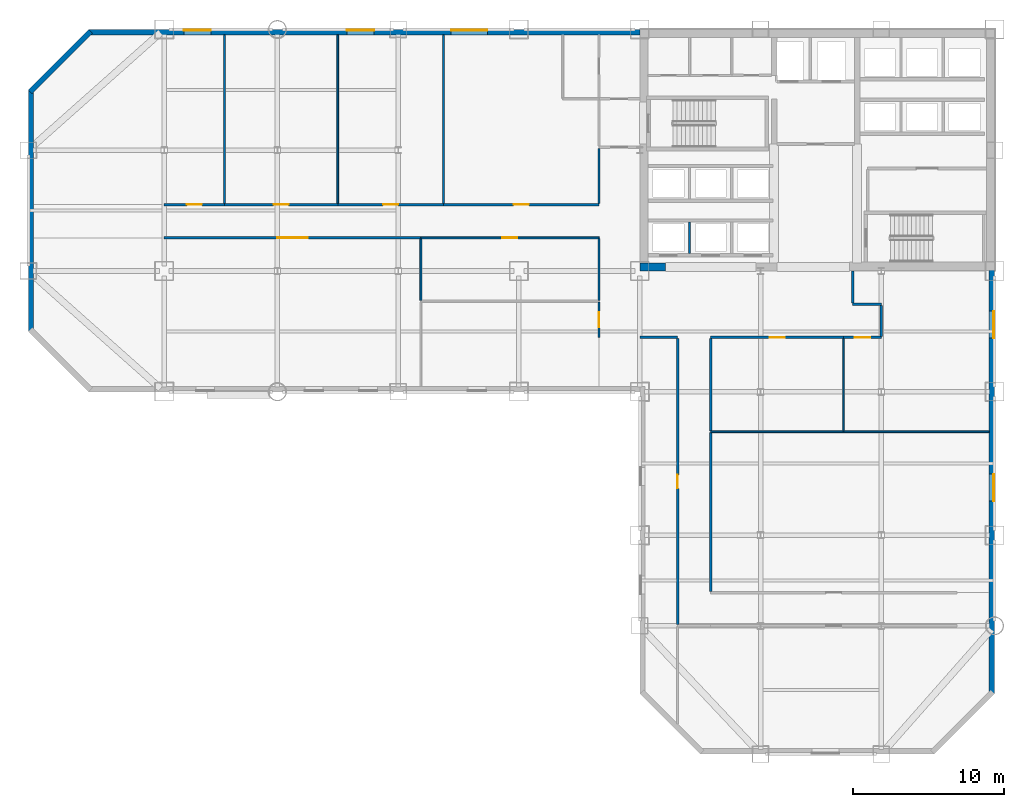
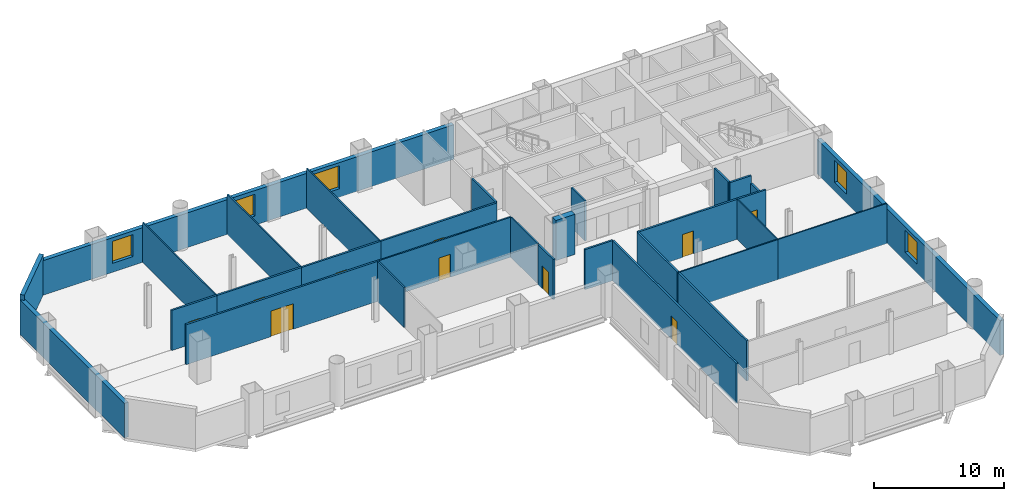
# One storey, part 5 of 9: 31 walls, 10 doors, 5 windows, 15 openings.
"""IFC4 building model written with IfcOpenShell, lengths in metres."""

from ifc_helpers import new_model, si_unit, direction, frame, frame_2d, origin, place, context, subcontext, project, spatial, rectangle, extrude, material, layer, layer_set, type_object, element, fill, save


model = new_model("IFC4")

# Units and contexts
model_context = context("Model", 3, precision=1e-05, world=origin(), true_north=direction((0.0, 1.0)))
body_context = subcontext(model_context, "Body", "Model", "MODEL_VIEW")
ifc_project = project(units=[si_unit("LENGTHUNIT", "METRE"), si_unit("AREAUNIT", "SQUARE_METRE"), si_unit("VOLUMEUNIT", "CUBIC_METRE"), si_unit("PLANEANGLEUNIT", "RADIAN"), si_unit("MASSUNIT", "GRAM", prefix="KILO")], contexts=[model_context])

# Site, building, storey
site_placement = place(None, origin())
site = spatial("IfcSite", under=ifc_project, at=site_placement, CompositionType="ELEMENT")
building_placement = place(site_placement, origin())
building = spatial("IfcBuilding", under=site, at=building_placement, Name="Qianrong Seaharbour Tower", CompositionType="ELEMENT")
storey_placement = place(building_placement, frame((0.0, 0.0, 88.199951171875)))
storey = spatial("IfcBuildingStorey", under=building, at=storey_placement, Name="L21", CompositionType="ELEMENT", Elevation=88.199951171875)

# Wall
ifc_material_1 = material(Name="Concrete C70/85", Category="concrete")
ifc_layer_1 = layer(ifc_material_1, 0.5400390625)
ifc_layer_set_1 = layer_set([ifc_layer_1], Name="Concrete C70/85")
wall_type_1 = type_object("IfcWallType", Name="WALL-CORE-540", PredefinedType="SHEAR", material=ifc_layer_set_1)
wall_1_placement = place(storey_placement, frame((40.5, 36.27001953125, 0.0), z_axis=(0.0, 0.0, 1.0), x_axis=(1.0, 0.0, 0.0)))
element("IfcWall", 1, at=wall_1_placement, inside=storey, type_object=wall_type_1, Name="L21 South Core Shear Wall S1", PredefinedType="SHEAR", context=body_context, shape_type="SweptSolid", body=[
    extrude(rectangle(XDim=1.699951171875, YDim=0.5400390625, at=frame_2d((0.85009765625, 0.0))), origin(), (0.0, 0.0, 1.0), 3.75),
])

# Wall, opening, door
ifc_material_2 = material(Name="Fire-rated acoustic gypsum board partition")
ifc_layer_2 = layer(ifc_material_2, 0.1650390625)
ifc_layer_set_2 = layer_set([ifc_layer_2], Name="Fire-rated acoustic gypsum board partition")
wall_type_2 = type_object("IfcWallType", Name="WALL-CORR-PART-165", PredefinedType="PARTITIONING", material=ifc_layer_set_2)
wall_2_placement = place(storey_placement, frame((9.0, 40.39990234375, 0.0), z_axis=(0.0, 0.0, 1.0), x_axis=(1.0, 0.0, 0.0)))
wall_2 = element("IfcWall", 2, at=wall_2_placement, inside=storey, type_object=wall_type_2, Name="L21 Interior Partition Wall 015", PredefinedType="PARTITIONING", context=body_context, shape_type="SweptSolid", body=[
    extrude(rectangle(XDim=4.0, YDim=0.1650390625, at=frame_2d((2.0, 0.0))), origin(), (0.0, 0.0, 1.0), 3.75),
])
opening_1_placement = place(wall_2_placement, frame((1.5, 0.0, 0.0)))
opening_1 = element("IfcOpeningElement", 3, at=opening_1_placement, cuts=wall_2, Name="Opening DO-01", PredefinedType="OPENING", context=body_context, shape_type="SweptSolid", body=[
    extrude(rectangle(XDim=1.0, YDim=2.14990234375, at=frame_2d((0.5, 1.074951171875))), frame((0.0, 0.092529296875, 0.0), z_axis=(0.0, -1.0, 0.0), x_axis=(1.0, 0.0, 0.0)), (0.0, 0.0, 1.0), 0.18505859375),
])
ifc_material_3 = material(Name="Acoustic timber and galvanized steel fire door assembly", Category="steel")
door_type_1 = type_object("IfcDoorType", Name="DOOR-OFFICE-1000x2150", OperationType="NOTDEFINED", PredefinedType="DOOR", material=ifc_material_3)
door_1_placement = place(opening_1_placement, origin())
door_1 = element("IfcDoor", 4, at=door_1_placement, inside=storey, type_object=door_type_1, Name="L21 Occupational Health Clinic 1 Door", OperationType="SINGLE_SWING_LEFT", OverallHeight=2.14990234375, OverallWidth=1.0, PredefinedType="DOOR", context=body_context, shape_type="SweptSolid", body=[
    extrude(rectangle(XDim=1.0, YDim=2.14990234375, at=frame_2d((0.5, 1.074951171875))), frame((0.0, 0.02490234375, 0.0), z_axis=(0.0, -1.0, 0.0), x_axis=(1.0, 0.0, 0.0)), (0.0, 0.0, 1.0), 0.050048828125),
])
fill(opening_1, door_1)

wall_3_placement = place(storey_placement, frame((13.0, 40.39990234375, 0.0), z_axis=(0.0, 0.0, 1.0), x_axis=(1.0, 0.0, 0.0)))
wall_3 = element("IfcWall", 5, at=wall_3_placement, inside=storey, type_object=wall_type_2, Name="L21 Interior Partition Wall 016", PredefinedType="PARTITIONING", context=body_context, shape_type="SweptSolid", body=[
    extrude(rectangle(XDim=7.5, YDim=0.1650390625, at=frame_2d((3.75, 0.0))), origin(), (0.0, 0.0, 1.0), 3.75),
])
opening_2_placement = place(wall_3_placement, frame((3.25, 0.0, 0.0)))
opening_2 = element("IfcOpeningElement", 6, at=opening_2_placement, cuts=wall_3, Name="Opening DO-01", PredefinedType="OPENING", context=body_context, shape_type="SweptSolid", body=[
    extrude(rectangle(XDim=1.0, YDim=2.14990234375, at=frame_2d((0.5, 1.074951171875))), frame((0.0, 0.092529296875, 0.0), z_axis=(0.0, -1.0, 0.0), x_axis=(1.0, 0.0, 0.0)), (0.0, 0.0, 1.0), 0.18505859375),
])
door_2_placement = place(opening_2_placement, origin())
door_2 = element("IfcDoor", 7, at=door_2_placement, inside=storey, type_object=door_type_1, Name="L21 Physiotherapy Room 2 Door", OperationType="SINGLE_SWING_RIGHT", OverallHeight=2.14990234375, OverallWidth=1.0, PredefinedType="DOOR", context=body_context, shape_type="SweptSolid", body=[
    extrude(rectangle(XDim=1.0, YDim=2.14990234375, at=frame_2d((0.5, 1.074951171875))), frame((0.0, 0.02490234375, 0.0), z_axis=(0.0, -1.0, 0.0), x_axis=(1.0, 0.0, 0.0)), (0.0, 0.0, 1.0), 0.050048828125),
])
fill(opening_2, door_2)

wall_4_placement = place(storey_placement, frame((20.5, 40.39990234375, 0.0), z_axis=(0.0, 0.0, 1.0), x_axis=(1.0, 0.0, 0.0)))
wall_4 = element("IfcWall", 8, at=wall_4_placement, inside=storey, type_object=wall_type_2, Name="L21 Interior Partition Wall 017", PredefinedType="PARTITIONING", context=body_context, shape_type="SweptSolid", body=[
    extrude(rectangle(XDim=7.0, YDim=0.1650390625, at=frame_2d((3.5, 0.0))), origin(), (0.0, 0.0, 1.0), 3.75),
])
opening_3_placement = place(wall_4_placement, frame((3.0, 0.0, 0.0)))
opening_3 = element("IfcOpeningElement", 9, at=opening_3_placement, cuts=wall_4, Name="Opening DO-01", PredefinedType="OPENING", context=body_context, shape_type="SweptSolid", body=[
    extrude(rectangle(XDim=1.0, YDim=2.14990234375, at=frame_2d((0.5, 1.074951171875))), frame((0.0, 0.092529296875, 0.0), z_axis=(0.0, -1.0, 0.0), x_axis=(1.0, 0.0, 0.0)), (0.0, 0.0, 1.0), 0.18505859375),
])
door_3_placement = place(opening_3_placement, origin())
door_3 = element("IfcDoor", 10, at=door_3_placement, inside=storey, type_object=door_type_1, Name="L21 First Aid Nursing Room 3 Door", OperationType="SINGLE_SWING_LEFT", OverallHeight=2.14990234375, OverallWidth=1.0, PredefinedType="DOOR", context=body_context, shape_type="SweptSolid", body=[
    extrude(rectangle(XDim=1.0, YDim=2.14990234375, at=frame_2d((0.5, 1.074951171875))), frame((0.0, 0.02490234375, 0.0), z_axis=(0.0, -1.0, 0.0), x_axis=(1.0, 0.0, 0.0)), (0.0, 0.0, 1.0), 0.050048828125),
])
fill(opening_3, door_3)

wall_5_placement = place(storey_placement, frame((27.5, 40.39990234375, 0.0), z_axis=(0.0, 0.0, 1.0), x_axis=(1.0, 0.0, 0.0)))
wall_5 = element("IfcWall", 11, at=wall_5_placement, inside=storey, type_object=wall_type_2, Name="L21 Interior Partition Wall 018", PredefinedType="PARTITIONING", context=body_context, shape_type="SweptSolid", body=[
    extrude(rectangle(XDim=10.300048828125, YDim=0.1650390625, at=frame_2d((5.14990234375, 0.0))), origin(), (0.0, 0.0, 1.0), 3.75),
])
opening_4_placement = place(wall_5_placement, frame((4.64990234375, 0.0, 0.0)))
opening_4 = element("IfcOpeningElement", 12, at=opening_4_placement, cuts=wall_5, Name="Opening DO-01", PredefinedType="OPENING", context=body_context, shape_type="SweptSolid", body=[
    extrude(rectangle(XDim=1.0, YDim=2.14990234375, at=frame_2d((0.5, 1.074951171875))), frame((0.0, 0.092529296875, 0.0), z_axis=(0.0, -1.0, 0.0), x_axis=(1.0, 0.0, 0.0)), (0.0, 0.0, 1.0), 0.18505859375),
])
door_4_placement = place(opening_4_placement, origin())
door_4 = element("IfcDoor", 13, at=door_4_placement, inside=storey, type_object=door_type_1, Name="L21 Case Coordinator Office 4 Door", OperationType="SINGLE_SWING_RIGHT", OverallHeight=2.14990234375, OverallWidth=1.0, PredefinedType="DOOR", context=body_context, shape_type="SweptSolid", body=[
    extrude(rectangle(XDim=1.0, YDim=2.14990234375, at=frame_2d((0.5, 1.074951171875))), frame((0.0, 0.02490234375, 0.0), z_axis=(0.0, -1.0, 0.0), x_axis=(1.0, 0.0, 0.0)), (0.0, 0.0, 1.0), 0.050048828125),
])
fill(opening_4, door_4)

wall_6_placement = place(storey_placement, frame((26.0, 38.199951171875, 0.0), z_axis=(0.0, 0.0, 1.0), x_axis=(-1.0, 0.0, 0.0)))
wall_6 = element("IfcWall", 14, at=wall_6_placement, inside=storey, type_object=wall_type_2, Name="L21 Interior Partition Wall 019", PredefinedType="PARTITIONING", context=body_context, shape_type="SweptSolid", body=[
    extrude(rectangle(XDim=17.0, YDim=0.1650390625, at=frame_2d((8.5, 0.0))), origin(), (0.0, 0.0, 1.0), 3.75),
])
opening_5_placement = place(wall_6_placement, frame((7.5, 0.0, 0.0)))
opening_5 = element("IfcOpeningElement", 15, at=opening_5_placement, cuts=wall_6, Name="Opening DA-01", PredefinedType="OPENING", context=body_context, shape_type="SweptSolid", body=[
    extrude(rectangle(XDim=2.0, YDim=2.39990234375, at=frame_2d((1.0, 1.199951171875))), frame((0.0, 0.092529296875, 0.0), z_axis=(0.0, -1.0, 0.0), x_axis=(1.0, 0.0, 0.0)), (0.0, 0.0, 1.0), 0.18505859375),
])
door_type_2 = type_object("IfcDoorType", Name="DOOR-AUD-PAIR-2000x2400", OperationType="DOUBLE_DOOR_SINGLE_SWING", PredefinedType="DOOR", material=ifc_material_3)
door_5_placement = place(opening_5_placement, origin())
door_5 = element("IfcDoor", 16, at=door_5_placement, inside=storey, type_object=door_type_2, Name="L21 Wellness Exercise Hall Door", OperationType="DOUBLE_DOOR_SINGLE_SWING", OverallHeight=2.39990234375, OverallWidth=2.0, PredefinedType="DOOR", context=body_context, shape_type="SweptSolid", body=[
    extrude(rectangle(XDim=2.0, YDim=2.39990234375, at=frame_2d((1.0, 1.199951171875))), frame((0.0, 0.02490234375, 0.0), z_axis=(0.0, -1.0, 0.0), x_axis=(1.0, 0.0, 0.0)), (0.0, 0.0, 1.0), 0.050048828125),
])
fill(opening_5, door_5)

# Wall
wall_7_placement = place(storey_placement, frame((37.800048828125, 40.474609375, 0.0), z_axis=(0.0, 0.0, 1.0), x_axis=(0.0, 1.0, 0.0)))
element("IfcWall", 17, at=wall_7_placement, inside=storey, type_object=wall_type_2, Name="L21 Interior Partition Wall 021", PredefinedType="PARTITIONING", context=body_context, shape_type="SweptSolid", body=[
    extrude(rectangle(XDim=3.65087890625, YDim=0.1650390625, at=frame_2d((1.825439453125, 0.0))), origin(), (0.0, 0.0, 1.0), 3.75),
])

# Wall, opening, door
wall_8_placement = place(storey_placement, frame((37.800048828125, 31.60009765625, 0.0), z_axis=(0.0, 0.0, 1.0), x_axis=(0.0, 1.0, 0.0)))
wall_8 = element("IfcWall", 18, at=wall_8_placement, inside=storey, type_object=wall_type_2, Name="L21 Interior Partition Wall 022", PredefinedType="PARTITIONING", context=body_context, shape_type="SweptSolid", body=[
    extrude(rectangle(XDim=2.343017578125, YDim=0.1650390625, at=frame_2d((1.17138671875, 0.0))), origin(), (0.0, 0.0, 1.0), 3.75),
])
opening_6_placement = place(wall_8_placement, frame((0.67138671875, 0.0, 0.0)))
opening_6 = element("IfcOpeningElement", 19, at=opening_6_placement, cuts=wall_8, Name="Opening DO-01", PredefinedType="OPENING", context=body_context, shape_type="SweptSolid", body=[
    extrude(rectangle(XDim=1.0, YDim=2.14990234375, at=frame_2d((0.5, 1.074951171875))), frame((0.0, 0.092529296875, 0.0), z_axis=(0.0, -1.0, 0.0), x_axis=(1.0, 0.0, 0.0)), (0.0, 0.0, 1.0), 0.18505859375),
])
door_6_placement = place(opening_6_placement, origin())
door_6 = element("IfcDoor", 20, at=door_6_placement, inside=storey, type_object=door_type_1, Name="L21 Medical Examination Room 1 Door", OperationType="SINGLE_SWING_LEFT", OverallHeight=2.14990234375, OverallWidth=1.0, PredefinedType="DOOR", context=body_context, shape_type="SweptSolid", body=[
    extrude(rectangle(XDim=1.0, YDim=2.14990234375, at=frame_2d((0.5, 1.074951171875))), frame((0.0, 0.02490234375, 0.0), z_axis=(0.0, -1.0, 0.0), x_axis=(1.0, 0.0, 0.0)), (0.0, 0.0, 1.0), 0.050048828125),
])
fill(opening_6, door_6)

wall_9_placement = place(storey_placement, frame((54.0, 31.60009765625, 0.0), z_axis=(0.0, 0.0, 1.0), x_axis=(-1.0, 0.0, 0.0)))
wall_9 = element("IfcWall", 21, at=wall_9_placement, inside=storey, type_object=wall_type_2, Name="L21 Interior Partition Wall 024", PredefinedType="PARTITIONING", context=body_context, shape_type="SweptSolid", body=[
    extrude(rectangle(XDim=8.800048828125, YDim=0.1650390625, at=frame_2d((4.39990234375, 0.0))), origin(), (0.0, 0.0, 1.0), 3.75),
])
opening_7_placement = place(wall_9_placement, frame((3.89990234375, 0.0, 0.0)))
opening_7 = element("IfcOpeningElement", 22, at=opening_7_placement, cuts=wall_9, Name="Opening DO-01", PredefinedType="OPENING", context=body_context, shape_type="SweptSolid", body=[
    extrude(rectangle(XDim=1.0, YDim=2.14990234375, at=frame_2d((0.5, 1.074951171875))), frame((0.0, 0.092529296875, 0.0), z_axis=(0.0, -1.0, 0.0), x_axis=(1.0, 0.0, 0.0)), (0.0, 0.0, 1.0), 0.18505859375),
])
door_7_placement = place(opening_7_placement, origin())
door_7 = element("IfcDoor", 23, at=door_7_placement, inside=storey, type_object=door_type_1, Name="L21 Wellness Room 1 Door", OperationType="SINGLE_SWING_LEFT", OverallHeight=2.14990234375, OverallWidth=1.0, PredefinedType="DOOR", context=body_context, shape_type="SweptSolid", body=[
    extrude(rectangle(XDim=1.0, YDim=2.14990234375, at=frame_2d((0.5, 1.074951171875))), frame((0.0, 0.02490234375, 0.0), z_axis=(0.0, -1.0, 0.0), x_axis=(1.0, 0.0, 0.0)), (0.0, 0.0, 1.0), 0.050048828125),
])
fill(opening_7, door_7)

# Walls
wall_10_placement = place(storey_placement, frame((54.60009765625, 36.0, 0.0), z_axis=(0.0, 0.0, 1.0), x_axis=(0.0, -1.0, 0.0)))
element("IfcWall", 24, at=wall_10_placement, inside=storey, type_object=wall_type_2, Name="L21 Interior Partition Wall 025", PredefinedType="PARTITIONING", context=body_context, shape_type="SweptSolid", body=[
    extrude(rectangle(XDim=2.12548828125, YDim=0.1650390625, at=frame_2d((1.062744140625, 0.0))), origin(), (0.0, 0.0, 1.0), 3.75),
])
wall_11_placement = place(storey_placement, frame((54.60009765625, 33.800048828125, 0.0), z_axis=(0.0, 0.0, 1.0), x_axis=(1.0, 0.0, 0.0)))
element("IfcWall", 25, at=wall_11_placement, inside=storey, type_object=wall_type_2, Name="L21 Interior Partition Wall 026", PredefinedType="PARTITIONING", context=body_context, shape_type="SweptSolid", body=[
    extrude(rectangle(XDim=1.89990234375, YDim=0.1650390625, at=frame_2d((0.949951171875, 0.0))), origin(), (0.0, 0.0, 1.0), 3.75),
])
wall_12_placement = place(storey_placement, frame((56.5, 33.7255859375, 0.0), z_axis=(0.0, 0.0, 1.0), x_axis=(0.0, -1.0, 0.0)))
element("IfcWall", 26, at=wall_12_placement, inside=storey, type_object=wall_type_2, Name="L21 Interior Partition Wall 027", PredefinedType="PARTITIONING", context=body_context, shape_type="SweptSolid", body=[
    extrude(rectangle(XDim=2.051025390625, YDim=0.1650390625, at=frame_2d((1.025390625, 0.0))), origin(), (0.0, 0.0, 1.0), 3.0419921875),
])

# Wall, opening, door
wall_13_placement = place(storey_placement, frame((56.5, 31.60009765625, 0.0), z_axis=(0.0, 0.0, 1.0), x_axis=(-1.0, 0.0, 0.0)))
wall_13 = element("IfcWall", 27, at=wall_13_placement, inside=storey, type_object=wall_type_2, Name="L21 Interior Partition Wall 028", PredefinedType="PARTITIONING", context=body_context, shape_type="SweptSolid", body=[
    extrude(rectangle(XDim=2.5, YDim=0.1650390625, at=frame_2d((1.25, 0.0))), origin(), (0.0, 0.0, 1.0), 3.75),
])
opening_8_placement = place(wall_13_placement, frame((0.75, 0.0, 0.0)))
opening_8 = element("IfcOpeningElement", 28, at=opening_8_placement, cuts=wall_13, Name="Opening DO-01", PredefinedType="OPENING", context=body_context, shape_type="SweptSolid", body=[
    extrude(rectangle(XDim=1.0, YDim=2.14990234375, at=frame_2d((0.5, 1.074951171875))), frame((0.0, 0.092529296875, 0.0), z_axis=(0.0, -1.0, 0.0), x_axis=(1.0, 0.0, 0.0)), (0.0, 0.0, 1.0), 0.18505859375),
])
door_8_placement = place(opening_8_placement, origin())
door_8 = element("IfcDoor", 29, at=door_8_placement, inside=storey, type_object=door_type_1, Name="L21 Health Director Office 2 Door", OperationType="SINGLE_SWING_RIGHT", OverallHeight=2.14990234375, OverallWidth=1.0, PredefinedType="DOOR", context=body_context, shape_type="SweptSolid", body=[
    extrude(rectangle(XDim=1.0, YDim=2.14990234375, at=frame_2d((0.5, 1.074951171875))), frame((0.0, 0.02490234375, 0.0), z_axis=(0.0, -1.0, 0.0), x_axis=(1.0, 0.0, 0.0)), (0.0, 0.0, 1.0), 0.050048828125),
])
fill(opening_8, door_8)

# Walls
wall_14_placement = place(storey_placement, frame((43.0, 31.60009765625, 0.0), z_axis=(0.0, 0.0, 1.0), x_axis=(-1.0, 0.0, 0.0)))
element("IfcWall", 30, at=wall_14_placement, inside=storey, type_object=wall_type_2, Name="L21 Interior Partition Wall 029", PredefinedType="PARTITIONING", context=body_context, shape_type="SweptSolid", body=[
    extrude(rectangle(XDim=2.5, YDim=0.1650390625, at=frame_2d((1.25, 0.0))), origin(), (0.0, 0.0, 1.0), 3.75),
])
wall_15_placement = place(storey_placement, frame((45.199951171875, 25.302978515625, 0.0), z_axis=(0.0, 0.0, 1.0), x_axis=(0.0, -1.0, 0.0)))
element("IfcWall", 31, at=wall_15_placement, inside=storey, type_object=wall_type_2, Name="L21 Interior Partition Wall 031", PredefinedType="PARTITIONING", context=body_context, shape_type="SweptSolid", body=[
    extrude(rectangle(XDim=10.528564453125, YDim=0.1650390625, at=frame_2d((5.26416015625, 0.0))), origin(), (0.0, 0.0, 1.0), 3.75),
])
wall_16_placement = place(storey_placement, frame((45.199951171875, 31.525390625, 0.0), z_axis=(0.0, 0.0, 1.0), x_axis=(0.0, -1.0, 0.0)))
element("IfcWall", 32, at=wall_16_placement, inside=storey, type_object=wall_type_2, Name="L21 Interior Partition Wall 032", PredefinedType="PARTITIONING", context=body_context, shape_type="SweptSolid", body=[
    extrude(rectangle(XDim=6.12841796875, YDim=0.1650390625, at=frame_2d((3.064208984375, 0.0))), origin(), (0.0, 0.0, 1.0), 3.75),
])

# Wall, opening, door
wall_17_placement = place(storey_placement, frame((43.0, 12.574462890625, 0.0), z_axis=(0.0, 0.0, 1.0), x_axis=(0.0, 1.0, 0.0)))
wall_17 = element("IfcWall", 33, at=wall_17_placement, inside=storey, type_object=wall_type_2, Name="L21 Interior Partition Wall 033", PredefinedType="PARTITIONING", context=body_context, shape_type="SweptSolid", body=[
    extrude(rectangle(XDim=18.950927734375, YDim=0.1650390625, at=frame_2d((9.4755859375, 0.0))), origin(), (0.0, 0.0, 1.0), 3.75),
])
opening_9_placement = place(wall_17_placement, frame((9.025390625, 0.0, 0.0)))
opening_9 = element("IfcOpeningElement", 34, at=opening_9_placement, cuts=wall_17, Name="Opening DS-01", PredefinedType="OPENING", context=body_context, shape_type="SweptSolid", body=[
    extrude(rectangle(XDim=0.89990234375, YDim=2.14990234375, at=frame_2d((0.449951171875, 1.074951171875))), frame((0.0, 0.092529296875, 0.0), z_axis=(0.0, -1.0, 0.0), x_axis=(1.0, 0.0, 0.0)), (0.0, 0.0, 1.0), 0.18505859375),
])
door_type_3 = type_object("IfcDoorType", Name="DOOR-STORE-900x2150", OperationType="NOTDEFINED", PredefinedType="DOOR", material=ifc_material_3)
door_9_placement = place(opening_9_placement, origin())
door_9 = element("IfcDoor", 35, at=door_9_placement, inside=storey, type_object=door_type_3, Name="L21 Clinical Dispensary Store Door", OperationType="SINGLE_SWING_LEFT", OverallHeight=2.14990234375, OverallWidth=0.89990234375, PredefinedType="DOOR", context=body_context, shape_type="SweptSolid", body=[
    extrude(rectangle(XDim=0.89990234375, YDim=2.14990234375, at=frame_2d((0.449951171875, 1.074951171875))), frame((0.0, 0.02490234375, 0.0), z_axis=(0.0, -1.0, 0.0), x_axis=(1.0, 0.0, 0.0)), (0.0, 0.0, 1.0), 0.050048828125),
])
fill(opening_9, door_9)

# Walls
ifc_material_4 = material(Name="Demountable aluminium-framed acoustic office partition", Category="aluminium")
ifc_layer_3 = layer(ifc_material_4, 0.110107421875)
ifc_layer_set_3 = layer_set([ifc_layer_3], Name="Demountable aluminium-framed acoustic office partition")
wall_type_3 = type_object("IfcWallType", Name="WALL-DEMOUNT-110", PredefinedType="MOVABLE", material=ifc_layer_set_3)
wall_18_placement = place(storey_placement, frame((45.199951171875, 25.35009765625, 0.0), z_axis=(0.0, 0.0, 1.0), x_axis=(1.0, 0.0, 0.0)))
element("IfcWall", 36, at=wall_18_placement, inside=storey, type_object=wall_type_3, Name="L21 Interior Partition Wall 037", PredefinedType="MOVABLE", context=body_context, shape_type="SweptSolid", body=[
    extrude(rectangle(XDim=8.800048828125, YDim=0.110107421875, at=frame_2d((4.39990234375, 0.0))), origin(), (0.0, 0.0, 1.0), 3.75),
])
wall_19_placement = place(storey_placement, frame((54.0, 25.35009765625, 0.0), z_axis=(0.0, 0.0, 1.0), x_axis=(1.0, 0.0, 0.0)))
element("IfcWall", 37, at=wall_19_placement, inside=storey, type_object=wall_type_3, Name="L21 Interior Partition Wall 038", PredefinedType="MOVABLE", context=body_context, shape_type="SweptSolid", body=[
    extrude(rectangle(XDim=9.64794921875, YDim=0.110107421875, at=frame_2d((4.823974609375, 0.0))), origin(), (0.0, 0.0, 1.0), 3.75),
])
wall_20_placement = place(storey_placement, frame((54.0, 31.525390625, 0.0), z_axis=(0.0, 0.0, 1.0), x_axis=(0.0, -1.0, 0.0)))
element("IfcWall", 38, at=wall_20_placement, inside=storey, type_object=wall_type_3, Name="L21 Interior Partition Wall 039", PredefinedType="MOVABLE", context=body_context, shape_type="SweptSolid", body=[
    extrude(rectangle(XDim=6.12841796875, YDim=0.110107421875, at=frame_2d((3.064208984375, 0.0))), origin(), (0.0, 0.0, 1.0), 3.75),
])
for number, where, z_axis, x_axis, name in (
    (39, (13.0, 51.64794921875, 0.0), (0.0, 0.0, 1.0), (0.0, -1.0, 0.0), "L21 Interior Partition Wall 040"),
    (40, (20.5, 51.64794921875, 0.0), (0.0, 0.0, 1.0), (0.0, -1.0, 0.0), "L21 Interior Partition Wall 041"),
    (41, (27.5, 51.64794921875, 0.0), (0.0, 0.0, 1.0), (0.0, -1.0, 0.0), "L21 Interior Partition Wall 042"),
):
    element("IfcWall", number, at=place(storey_placement, frame(where, z_axis=z_axis, x_axis=x_axis)), inside=storey, type_object=wall_type_3, Name=name, PredefinedType="MOVABLE", context=body_context, shape_type="SweptSolid", body=[
        extrude(rectangle(XDim=11.17333984375, YDim=0.110107421875, at=frame_2d((5.586669921875, 0.0))), origin(), (0.0, 0.0, 1.0), 3.75),
    ])
ifc_material_5 = material(Name="Unitised red brick on Precast concrete C45/55", Category="masonry")
ifc_layer_4 = layer(ifc_material_5, 0.360107421875)
ifc_layer_set_4 = layer_set([ifc_layer_4], Name="Unitised red brick on Precast concrete C45/55")
wall_type_4 = type_object("IfcWallType", Name="WALL-EXT-BRICK-RED-360", PredefinedType="SOLIDWALL", material=ifc_layer_set_4)
wall_21_placement = place(storey_placement, frame((0.179931640625, 32.0, 0.0), z_axis=(0.0, 0.0, 1.0), x_axis=(0.0, 1.0, 0.0)))
element("IfcWall", 42, at=wall_21_placement, inside=storey, type_object=wall_type_4, Name="L21 Exterior Masonry Facade Wall WEST_TIP", PredefinedType="SOLIDWALL", context=body_context, shape_type="SweptSolid", body=[
    extrude(rectangle(XDim=16.0, YDim=0.360107421875, at=frame_2d((8.0, 0.0))), origin(), (0.0, 0.0, 1.0), 3.25),
])
wall_22_placement = place(storey_placement, frame((0.127197265625, 47.872802734375, 0.0), z_axis=(0.0, 0.0, 1.0), x_axis=(0.707106781187, 0.707106781187, 0.0)))
element("IfcWall", 43, at=wall_22_placement, inside=storey, type_object=wall_type_4, Name="L21 Exterior Masonry Facade Wall E04", PredefinedType="SOLIDWALL", context=body_context, shape_type="SweptSolid", body=[
    extrude(rectangle(XDim=5.65673828125, YDim=0.360107421875, at=frame_2d((2.828369140625, 0.0))), origin(), (0.0, 0.0, 1.0), 3.75),
])

# Wall, openings, windows
wall_23_placement = place(storey_placement, frame((4.0, 51.820068359375, 0.0), z_axis=(0.0, 0.0, 1.0), x_axis=(1.0, 0.0, 0.0)))
wall_23 = element("IfcWall", 44, at=wall_23_placement, inside=storey, type_object=wall_type_4, Name="L21 Exterior Masonry Facade Wall NORTH_WING", PredefinedType="SOLIDWALL", context=body_context, shape_type="SweptSolid", body=[
    extrude(rectangle(XDim=36.52001953125, YDim=0.360107421875, at=frame_2d((18.260009765625, 0.0))), origin(), (0.0, 0.0, 1.0), 3.25),
])
opening_10_placement = place(wall_23_placement, frame((6.300048828125, 0.0, 0.85009765625)))
opening_10 = element("IfcOpeningElement", 45, at=opening_10_placement, cuts=wall_23, Name="Opening WN-05", PredefinedType="OPENING", context=body_context, shape_type="SweptSolid", body=[
    extrude(rectangle(XDim=1.800048828125, YDim=2.050048828125, at=frame_2d((0.89990234375, 1.02490234375))), frame((0.0, 0.18994140625, 0.0), z_axis=(0.0, -1.0, 0.0), x_axis=(1.0, 0.0, 0.0)), (0.0, 0.0, 1.0), 0.380126953125),
])
opening_11_placement = place(wall_23_placement, frame((17.10009765625, 0.0, 0.85009765625)))
opening_11 = element("IfcOpeningElement", 46, at=opening_11_placement, cuts=wall_23, Name="Opening WN-05", PredefinedType="OPENING", context=body_context, shape_type="SweptSolid", body=[
    extrude(rectangle(XDim=1.800048828125, YDim=2.050048828125, at=frame_2d((0.89990234375, 1.02490234375))), frame((0.0, 0.18994140625, 0.0), z_axis=(0.0, -1.0, 0.0), x_axis=(1.0, 0.0, 0.0)), (0.0, 0.0, 1.0), 0.380126953125),
])
opening_12_placement = place(wall_23_placement, frame((24.0, 0.0, 0.800048828125)))
opening_12 = element("IfcOpeningElement", 47, at=opening_12_placement, cuts=wall_23, Name="Opening WN-07", PredefinedType="OPENING", context=body_context, shape_type="SweptSolid", body=[
    extrude(rectangle(XDim=2.39990234375, YDim=2.14990234375, at=frame_2d((1.199951171875, 1.074951171875))), frame((0.0, 0.18994140625, 0.0), z_axis=(0.0, -1.0, 0.0), x_axis=(1.0, 0.0, 0.0)), (0.0, 0.0, 1.0), 0.380126953125),
])
ifc_material_6 = material(Name="Insulated low-e double glazing in thermally broken aluminium 6063-T6 frame", Category="aluminium")
window_type_1 = type_object("IfcWindowType", Name="WIN-PUNCH-1800x2050", PartitioningType="TRIPLE_PANEL_VERTICAL", PredefinedType="WINDOW", material=ifc_material_6)
window_1_placement = place(opening_10_placement, origin())
window_1 = element("IfcWindow", 48, at=window_1_placement, inside=storey, type_object=window_type_1, Name="L21 Deep-Set Punched Window 05.02", OverallHeight=2.050048828125, OverallWidth=1.800048828125, PartitioningType="TRIPLE_PANEL_VERTICAL", PredefinedType="WINDOW", context=body_context, shape_type="SweptSolid", body=[
    extrude(rectangle(XDim=1.800048828125, YDim=2.050048828125, at=frame_2d((0.89990234375, 1.02490234375))), frame((0.0, 0.150146484375, 0.0), z_axis=(0.0, -1.0, 0.0), x_axis=(1.0, 0.0, 0.0)), (0.0, 0.0, 1.0), 0.06005859375),
])
fill(opening_10, window_1)
window_2_placement = place(opening_11_placement, origin())
window_2 = element("IfcWindow", 49, at=window_2_placement, inside=storey, type_object=window_type_1, Name="L21 Deep-Set Punched Window 05.05", OverallHeight=2.050048828125, OverallWidth=1.800048828125, PartitioningType="TRIPLE_PANEL_VERTICAL", PredefinedType="WINDOW", context=body_context, shape_type="SweptSolid", body=[
    extrude(rectangle(XDim=1.800048828125, YDim=2.050048828125, at=frame_2d((0.89990234375, 1.02490234375))), frame((0.0, 0.150146484375, 0.0), z_axis=(0.0, -1.0, 0.0), x_axis=(1.0, 0.0, 0.0)), (0.0, 0.0, 1.0), 0.06005859375),
])
fill(opening_11, window_2)
window_type_2 = type_object("IfcWindowType", Name="WIN-PUNCH-2400x2150", PartitioningType="TRIPLE_PANEL_VERTICAL", PredefinedType="WINDOW", material=ifc_material_6)
window_3_placement = place(opening_12_placement, origin())
window_3 = element("IfcWindow", 50, at=window_3_placement, inside=storey, type_object=window_type_2, Name="L21 Deep-Set Punched Window 05.07", OverallHeight=2.14990234375, OverallWidth=2.39990234375, PartitioningType="TRIPLE_PANEL_VERTICAL", PredefinedType="WINDOW", context=body_context, shape_type="SweptSolid", body=[
    extrude(rectangle(XDim=2.39990234375, YDim=2.14990234375, at=frame_2d((1.199951171875, 1.074951171875))), frame((0.0, 0.150146484375, 0.0), z_axis=(0.0, -1.0, 0.0), x_axis=(1.0, 0.0, 0.0)), (0.0, 0.0, 1.0), 0.06005859375),
])
fill(opening_12, window_3)

wall_24_placement = place(storey_placement, frame((63.820068359375, 36.050048828125, 0.0), z_axis=(0.0, 0.0, 1.0), x_axis=(0.0, -1.0, 0.0)))
wall_24 = element("IfcWall", 51, at=wall_24_placement, inside=storey, type_object=wall_type_4, Name="L21 Exterior Masonry Facade Wall EAST_WING", PredefinedType="SOLIDWALL", context=body_context, shape_type="SweptSolid", body=[
    extrude(rectangle(XDim=28.050048828125, YDim=0.360107421875, at=frame_2d((14.02490234375, 0.0))), origin(), (0.0, 0.0, 1.0), 3.25),
])
opening_13_placement = place(wall_24_placement, frame((2.699951171875, 0.0, 0.85009765625)))
opening_13 = element("IfcOpeningElement", 52, at=opening_13_placement, cuts=wall_24, Name="Opening WN-05", PredefinedType="OPENING", context=body_context, shape_type="SweptSolid", body=[
    extrude(rectangle(XDim=1.800048828125, YDim=2.050048828125, at=frame_2d((0.89990234375, 1.02490234375))), frame((0.0, 0.18994140625, 0.0), z_axis=(0.0, -1.0, 0.0), x_axis=(1.0, 0.0, 0.0)), (0.0, 0.0, 1.0), 0.380126953125),
])
opening_14_placement = place(wall_24_placement, frame((13.5, 0.0, 0.85009765625)))
opening_14 = element("IfcOpeningElement", 53, at=opening_14_placement, cuts=wall_24, Name="Opening WN-05", PredefinedType="OPENING", context=body_context, shape_type="SweptSolid", body=[
    extrude(rectangle(XDim=1.800048828125, YDim=2.050048828125, at=frame_2d((0.89990234375, 1.02490234375))), frame((0.0, 0.18994140625, 0.0), z_axis=(0.0, -1.0, 0.0), x_axis=(1.0, 0.0, 0.0)), (0.0, 0.0, 1.0), 0.380126953125),
])
window_4_placement = place(opening_13_placement, origin())
window_4 = element("IfcWindow", 54, at=window_4_placement, inside=storey, type_object=window_type_1, Name="L21 Deep-Set Punched Window 06.01", OverallHeight=2.050048828125, OverallWidth=1.800048828125, PartitioningType="TRIPLE_PANEL_VERTICAL", PredefinedType="WINDOW", context=body_context, shape_type="SweptSolid", body=[
    extrude(rectangle(XDim=1.800048828125, YDim=2.050048828125, at=frame_2d((0.89990234375, 1.02490234375))), frame((0.0, 0.150146484375, 0.0), z_axis=(0.0, -1.0, 0.0), x_axis=(1.0, 0.0, 0.0)), (0.0, 0.0, 1.0), 0.06005859375),
])
fill(opening_13, window_4)
window_5_placement = place(opening_14_placement, origin())
window_5 = element("IfcWindow", 55, at=window_5_placement, inside=storey, type_object=window_type_1, Name="L21 Deep-Set Punched Window 06.04", OverallHeight=2.050048828125, OverallWidth=1.800048828125, PartitioningType="TRIPLE_PANEL_VERTICAL", PredefinedType="WINDOW", context=body_context, shape_type="SweptSolid", body=[
    extrude(rectangle(XDim=1.800048828125, YDim=2.050048828125, at=frame_2d((0.89990234375, 1.02490234375))), frame((0.0, 0.150146484375, 0.0), z_axis=(0.0, -1.0, 0.0), x_axis=(1.0, 0.0, 0.0)), (0.0, 0.0, 1.0), 0.06005859375),
])
fill(opening_14, window_5)

# Wall
ifc_material_7 = material(Name="Fire-rated gypsum board on steel studs", Category="steel")
ifc_layer_5 = layer(ifc_material_7, 0.14990234375)
ifc_layer_set_5 = layer_set([ifc_layer_5], Name="Fire-rated gypsum board on steel studs")
wall_type_5 = type_object("IfcWallType", Name="WALL-SHAFT-DIV-150", PredefinedType="PARTITIONING", material=ifc_layer_set_5)
wall_25_placement = place(storey_placement, frame((43.800048828125, 37.159912109375, 0.0), z_axis=(0.0, 0.0, 1.0), x_axis=(0.0, 1.0, 0.0)))
element("IfcWall", 56, at=wall_25_placement, inside=storey, type_object=wall_type_5, Name="L21 P1 Lift Hoistway Divider 2", PredefinedType="PARTITIONING", context=body_context, shape_type="SweptSolid", body=[
    extrude(rectangle(XDim=2.080078125, YDim=0.14990234375, at=frame_2d((1.0400390625, 0.0))), origin(), (0.0, 0.0, 1.0), 3.75),
])

# Wall, opening, door
ifc_material_8 = material(Name="Water-resistant cement board sanitary partition")
ifc_layer_6 = layer(ifc_material_8, 0.1298828125)
ifc_layer_set_6 = layer_set([ifc_layer_6], Name="Water-resistant cement board sanitary partition")
wall_type_6 = type_object("IfcWallType", Name="WALL-WET-PART-130", PredefinedType="PARTITIONING", material=ifc_layer_set_6)
wall_26_placement = place(storey_placement, frame((37.800048828125, 38.199951171875, 0.0), z_axis=(0.0, 0.0, 1.0), x_axis=(-1.0, 0.0, 0.0)))
wall_26 = element("IfcWall", 57, at=wall_26_placement, inside=storey, type_object=wall_type_6, Name="L21 Interior Partition Wall 020", PredefinedType="PARTITIONING", context=body_context, shape_type="SweptSolid", body=[
    extrude(rectangle(XDim=11.800048828125, YDim=0.1298828125, at=frame_2d((5.89990234375, 0.0))), origin(), (0.0, 0.0, 1.0), 3.75),
])
opening_15_placement = place(wall_26_placement, frame((5.39990234375, 0.0, 0.0)))
opening_15 = element("IfcOpeningElement", 58, at=opening_15_placement, cuts=wall_26, Name="Opening DO-01", PredefinedType="OPENING", context=body_context, shape_type="SweptSolid", body=[
    extrude(rectangle(XDim=1.0, YDim=2.14990234375, at=frame_2d((0.5, 1.074951171875))), frame((0.0, 0.074951171875, 0.0), z_axis=(0.0, -1.0, 0.0), x_axis=(1.0, 0.0, 0.0)), (0.0, 0.0, 1.0), 0.14990234375),
])
door_10_placement = place(opening_15_placement, origin())
door_10 = element("IfcDoor", 59, at=door_10_placement, inside=storey, type_object=door_type_1, Name="L21 Wet Pantry 2 Door", OperationType="SINGLE_SWING_RIGHT", OverallHeight=2.14990234375, OverallWidth=1.0, PredefinedType="DOOR", context=body_context, shape_type="SweptSolid", body=[
    extrude(rectangle(XDim=1.0, YDim=2.14990234375, at=frame_2d((0.5, 1.074951171875))), frame((0.0, 0.02490234375, 0.0), z_axis=(0.0, -1.0, 0.0), x_axis=(1.0, 0.0, 0.0)), (0.0, 0.0, 1.0), 0.050048828125),
])
fill(opening_15, door_10)

# Walls
wall_27_placement = place(storey_placement, frame((37.800048828125, 34.056884765625, 0.0), z_axis=(0.0, 0.0, 1.0), x_axis=(0.0, 1.0, 0.0)))
element("IfcWall", 60, at=wall_27_placement, inside=storey, type_object=wall_type_6, Name="L21 Interior Partition Wall 023", PredefinedType="PARTITIONING", context=body_context, shape_type="SweptSolid", body=[
    extrude(rectangle(XDim=4.086181640625, YDim=0.1298828125, at=frame_2d((2.04296875, 0.0))), origin(), (0.0, 0.0, 1.0), 3.75),
])
wall_28_placement = place(storey_placement, frame((26.0, 38.12548828125, 0.0), z_axis=(0.0, 0.0, 1.0), x_axis=(0.0, -1.0, 0.0)))
element("IfcWall", 61, at=wall_28_placement, inside=storey, type_object=wall_type_6, Name="L21 Interior Partition Wall 044", PredefinedType="PARTITIONING", context=body_context, shape_type="SweptSolid", body=[
    extrude(rectangle(XDim=4.068603515625, YDim=0.1298828125, at=frame_2d((2.0341796875, 0.0))), origin(), (0.0, 0.0, 1.0), 3.75),
])

save(model, "model.ifc")
